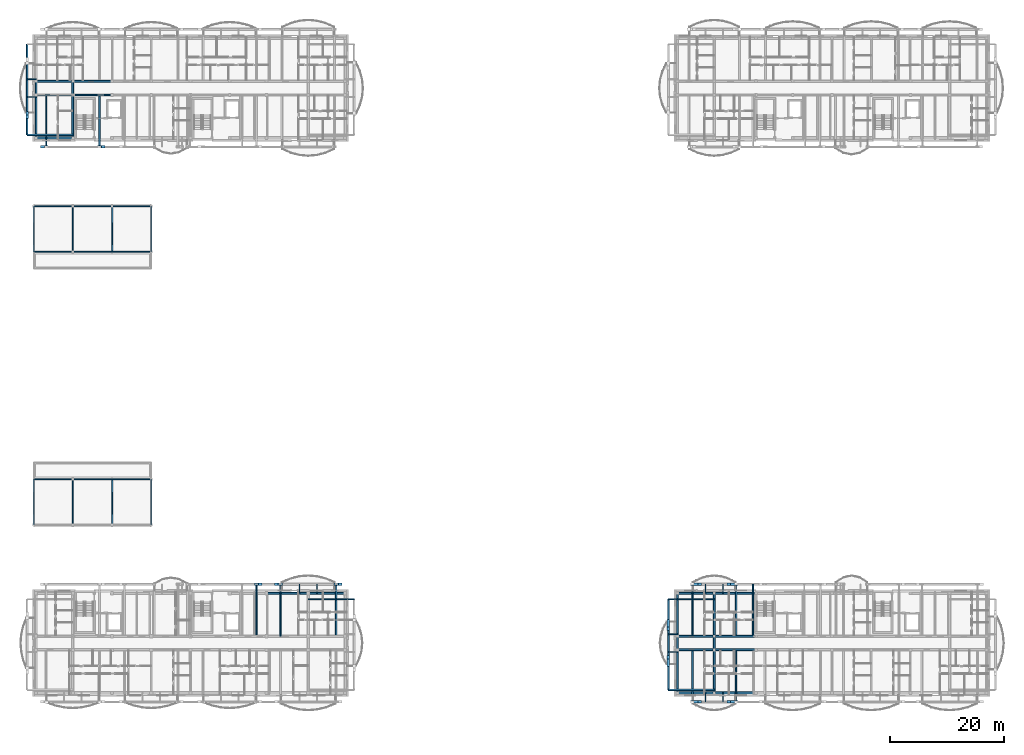
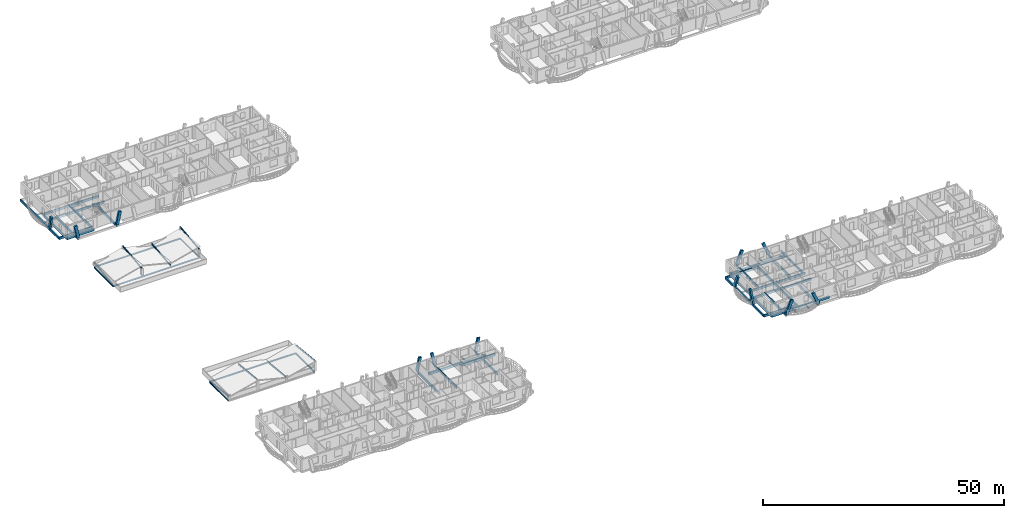
# One storey, part 5 of 50: 64 beams, 20 members.
"""IFC4 building model written with IfcOpenShell, lengths in metres."""

from ifc_helpers import new_model, si_unit, direction, frame, origin, origin_2d, place, context, subcontext, project, spatial, rectangle, i_section, extrude, material, material_profile, profile_set, type_object, element, save


model = new_model("IFC4")

# Units and contexts
model_context = context("Model", 3, precision=1e-05, world=origin(), true_north=direction((0.0, 1.0)))
body_context = subcontext(model_context, "Body", "Model", "MODEL_VIEW")
ifc_project = project(units=[si_unit("LENGTHUNIT", "METRE"), si_unit("AREAUNIT", "SQUARE_METRE"), si_unit("VOLUMEUNIT", "CUBIC_METRE"), si_unit("PLANEANGLEUNIT", "RADIAN"), si_unit("MASSUNIT", "GRAM", prefix="KILO")], contexts=[model_context])

# Site, building, storey
site_placement = place(None, origin())
site = spatial("IfcSite", under=ifc_project, at=site_placement, CompositionType="ELEMENT")
building_placement = place(site_placement, origin())
building = spatial("IfcBuilding", under=site, at=building_placement, Name="Zavelmont Quarter", CompositionType="ELEMENT")
storey_placement = place(building_placement, frame((0.0, 0.0, 11.199951171875)))
storey = spatial("IfcBuildingStorey", under=building, at=storey_placement, Name="L03", CompositionType="ELEMENT", Elevation=11.199951171875)

# Beams
ifc_material_1 = material(Name="Concrete C35/45", Category="concrete")
ifc_material_profile_1 = material_profile(ifc_material_1, rectangle(XDim=0.35009765625, YDim=0.60009765625, at=origin_2d()), Name="RC350X600")
ifc_profile_set_1 = profile_set([ifc_material_profile_1], Name="Concrete C35/45")
beam_type_1 = type_object("IfcBeamType", Name="BM01", PredefinedType="SPANDREL", material=ifc_profile_set_1)
beam_1_placement = place(storey_placement, frame((40.9599609375, 17.9599609375, -0.56005859375), z_axis=(1.0, 0.0, 0.0), x_axis=(0.0, 1.0, 0.0)))
element("IfcBeam", 1, at=beam_1_placement, inside=storey, type_object=beam_type_1, Name="L03 beam BM01 7/D to 8/D", PredefinedType="SPANDREL", context=body_context, shape_type="SweptSolid", body=[
    extrude(rectangle(XDim=0.35009765625, YDim=0.60009765625, at=origin_2d()), origin(), (0.0, 0.0, 1.0), 7.340087890625),
])
for number, where, z_axis, x_axis, name in (
    (2, (48.300048828125, 17.9599609375, -0.56005859375), (1.0, 0.0, 0.0), (0.0, 1.0, 0.0), "L03 beam BM01 8/D to 9/D"),
    (3, (0.43994140625, 98.0400390625, -0.56005859375), (1.0, 0.0, 0.0), (0.0, 1.0, 0.0), "L03 beam BM01 1/P to 2/P"),
    (4, (113.239990234375, 0.43994140625, -0.56005859375), (1.0, 0.0, 0.0), (0.0, 1.0, 0.0), "L03 beam BM01 17/A to 18/A"),
):
    element("IfcBeam", number, at=place(storey_placement, frame(where, z_axis=z_axis, x_axis=x_axis)), inside=storey, type_object=beam_type_1, Name=name, PredefinedType="SPANDREL", context=body_context, shape_type="SweptSolid", body=[
        extrude(rectangle(XDim=0.35009765625, YDim=0.60009765625, at=origin_2d()), origin(), (0.0, 0.0, 1.0), 6.4599609375),
    ])
beam_2_placement = place(storey_placement, frame((119.699951171875, 0.43994140625, -0.56005859375), z_axis=(1.0, 0.0, 0.0), x_axis=(0.0, 1.0, 0.0)))
element("IfcBeam", 5, at=beam_2_placement, inside=storey, type_object=beam_type_1, Name="L03 beam BM01 18/A to 19/A", PredefinedType="SPANDREL", context=body_context, shape_type="SweptSolid", body=[
    extrude(rectangle(XDim=0.35009765625, YDim=0.60009765625, at=origin_2d()), origin(), (0.0, 0.0, 1.0), 7.340087890625),
])
beam_3_placement = place(storey_placement, frame((113.239990234375, 17.9599609375, -0.56005859375), z_axis=(1.0, 0.0, 0.0), x_axis=(0.0, 1.0, 0.0)))
element("IfcBeam", 6, at=beam_3_placement, inside=storey, type_object=beam_type_1, Name="L03 beam BM01 17/D to 18/D", PredefinedType="SPANDREL", context=body_context, shape_type="SweptSolid", body=[
    extrude(rectangle(XDim=0.35009765625, YDim=0.60009765625, at=origin_2d()), origin(), (0.0, 0.0, 1.0), 6.4599609375),
])
beam_4_placement = place(storey_placement, frame((119.699951171875, 17.9599609375, -0.56005859375), z_axis=(1.0, 0.0, 0.0), x_axis=(0.0, 1.0, 0.0)))
element("IfcBeam", 7, at=beam_4_placement, inside=storey, type_object=beam_type_1, Name="L03 beam BM01 18/D to 19/D", PredefinedType="SPANDREL", context=body_context, shape_type="SweptSolid", body=[
    extrude(rectangle(XDim=0.35009765625, YDim=0.60009765625, at=origin_2d()), origin(), (0.0, 0.0, 1.0), 7.340087890625),
])
ifc_material_profile_2 = material_profile(ifc_material_1, rectangle(XDim=0.300048828125, YDim=0.550048828125, at=origin_2d()), Name="RC300X550")
ifc_profile_set_2 = profile_set([ifc_material_profile_2], Name="Concrete C35/45")
beam_type_2 = type_object("IfcBeamType", Name="BM02", PredefinedType="SPANDREL", material=ifc_profile_set_2)
beam_5_placement = place(storey_placement, frame((0.43994140625, 105.60009765625, -0.534912109375), z_axis=(1.0, 0.0, 0.0), x_axis=(0.0, 1.0, 0.0)))
element("IfcBeam", 8, at=beam_5_placement, inside=storey, type_object=beam_type_2, Name="L03 beam BM02 1/Q to 2/Q", PredefinedType="SPANDREL", context=body_context, shape_type="SweptSolid", body=[
    extrude(rectangle(XDim=0.300048828125, YDim=0.550048828125, at=origin_2d()), origin(), (0.0, 0.0, 1.0), 6.4599609375),
])
beam_6_placement = place(storey_placement, frame((6.89990234375, 105.60009765625, -0.534912109375), z_axis=(1.0, 0.0, 0.0), x_axis=(0.0, 1.0, 0.0)))
element("IfcBeam", 9, at=beam_6_placement, inside=storey, type_object=beam_type_2, Name="L03 beam BM02 2/Q to 3/Q", PredefinedType="SPANDREL", context=body_context, shape_type="SweptSolid", body=[
    extrude(rectangle(XDim=0.300048828125, YDim=0.550048828125, at=origin_2d()), origin(), (0.0, 0.0, 1.0), 6.900146484375),
])
beam_7_placement = place(storey_placement, frame((0.43994140625, 108.0, -0.534912109375), z_axis=(1.0, 0.0, 0.0), x_axis=(0.0, 1.0, 0.0)))
element("IfcBeam", 10, at=beam_7_placement, inside=storey, type_object=beam_type_2, Name="L03 beam BM02 1/R to 2/R", PredefinedType="SPANDREL", context=body_context, shape_type="SweptSolid", body=[
    extrude(rectangle(XDim=0.300048828125, YDim=0.550048828125, at=origin_2d()), origin(), (0.0, 0.0, 1.0), 6.4599609375),
])
beam_8_placement = place(storey_placement, frame((6.89990234375, 108.0, -0.534912109375), z_axis=(1.0, 0.0, 0.0), x_axis=(0.0, 1.0, 0.0)))
element("IfcBeam", 11, at=beam_8_placement, inside=storey, type_object=beam_type_2, Name="L03 beam BM02 2/R to 3/R", PredefinedType="SPANDREL", context=body_context, shape_type="SweptSolid", body=[
    extrude(rectangle(XDim=0.300048828125, YDim=0.550048828125, at=origin_2d()), origin(), (0.0, 0.0, 1.0), 6.900146484375),
])
beam_9_placement = place(storey_placement, frame((0.43994140625, 98.0400390625, -0.534912109375), z_axis=(0.0, 1.0, 0.0), x_axis=(-1.0, 0.0, 0.0)))
element("IfcBeam", 12, at=beam_9_placement, inside=storey, type_object=beam_type_2, Name="L03 beam BM02 1/P to 1/Q", PredefinedType="SPANDREL", context=body_context, shape_type="SweptSolid", body=[
    extrude(rectangle(XDim=0.300048828125, YDim=0.550048828125, at=origin_2d()), origin(), (0.0, 0.0, 1.0), 7.56005859375),
])
beam_10_placement = place(storey_placement, frame((0.43994140625, 105.60009765625, -0.534912109375), z_axis=(0.0, 1.0, 0.0), x_axis=(-1.0, 0.0, 0.0)))
element("IfcBeam", 13, at=beam_10_placement, inside=storey, type_object=beam_type_2, Name="L03 beam BM02 1/Q to 1/R", PredefinedType="SPANDREL", context=body_context, shape_type="SweptSolid", body=[
    extrude(rectangle(XDim=0.300048828125, YDim=0.550048828125, at=origin_2d()), origin(), (0.0, 0.0, 1.0), 2.39990234375),
])
beam_11_placement = place(storey_placement, frame((6.89990234375, 98.0400390625, -0.534912109375), z_axis=(0.0, 1.0, 0.0), x_axis=(-1.0, 0.0, 0.0)))
element("IfcBeam", 14, at=beam_11_placement, inside=storey, type_object=beam_type_2, Name="L03 beam BM02 2/P to 2/Q", PredefinedType="SPANDREL", context=body_context, shape_type="SweptSolid", body=[
    extrude(rectangle(XDim=0.300048828125, YDim=0.550048828125, at=origin_2d()), origin(), (0.0, 0.0, 1.0), 7.56005859375),
])
beam_12_placement = place(storey_placement, frame((6.89990234375, 105.60009765625, -0.534912109375), z_axis=(0.0, 1.0, 0.0), x_axis=(-1.0, 0.0, 0.0)))
element("IfcBeam", 15, at=beam_12_placement, inside=storey, type_object=beam_type_2, Name="L03 beam BM02 2/Q to 2/R", PredefinedType="SPANDREL", context=body_context, shape_type="SweptSolid", body=[
    extrude(rectangle(XDim=0.300048828125, YDim=0.550048828125, at=origin_2d()), origin(), (0.0, 0.0, 1.0), 2.39990234375),
])
beam_13_placement = place(storey_placement, frame((113.239990234375, 8.0, -0.534912109375), z_axis=(1.0, 0.0, 0.0), x_axis=(0.0, 1.0, 0.0)))
element("IfcBeam", 16, at=beam_13_placement, inside=storey, type_object=beam_type_2, Name="L03 beam BM02 17/B to 18/B", PredefinedType="SPANDREL", context=body_context, shape_type="SweptSolid", body=[
    extrude(rectangle(XDim=0.300048828125, YDim=0.550048828125, at=origin_2d()), origin(), (0.0, 0.0, 1.0), 6.4599609375),
])
beam_14_placement = place(storey_placement, frame((119.699951171875, 8.0, -0.534912109375), z_axis=(1.0, 0.0, 0.0), x_axis=(0.0, 1.0, 0.0)))
element("IfcBeam", 17, at=beam_14_placement, inside=storey, type_object=beam_type_2, Name="L03 beam BM02 18/B to 19/B", PredefinedType="SPANDREL", context=body_context, shape_type="SweptSolid", body=[
    extrude(rectangle(XDim=0.300048828125, YDim=0.550048828125, at=origin_2d()), origin(), (0.0, 0.0, 1.0), 7.340087890625),
])
beam_15_placement = place(storey_placement, frame((113.239990234375, 10.39990234375, -0.534912109375), z_axis=(1.0, 0.0, 0.0), x_axis=(0.0, 1.0, 0.0)))
element("IfcBeam", 18, at=beam_15_placement, inside=storey, type_object=beam_type_2, Name="L03 beam BM02 17/C to 18/C", PredefinedType="SPANDREL", context=body_context, shape_type="SweptSolid", body=[
    extrude(rectangle(XDim=0.300048828125, YDim=0.550048828125, at=origin_2d()), origin(), (0.0, 0.0, 1.0), 6.4599609375),
])
beam_16_placement = place(storey_placement, frame((119.699951171875, 10.39990234375, -0.534912109375), z_axis=(1.0, 0.0, 0.0), x_axis=(0.0, 1.0, 0.0)))
element("IfcBeam", 19, at=beam_16_placement, inside=storey, type_object=beam_type_2, Name="L03 beam BM02 18/C to 19/C", PredefinedType="SPANDREL", context=body_context, shape_type="SweptSolid", body=[
    extrude(rectangle(XDim=0.300048828125, YDim=0.550048828125, at=origin_2d()), origin(), (0.0, 0.0, 1.0), 7.340087890625),
])
beam_17_placement = place(storey_placement, frame((113.239990234375, 0.43994140625, -0.534912109375), z_axis=(0.0, 1.0, 0.0), x_axis=(-1.0, 0.0, 0.0)))
element("IfcBeam", 20, at=beam_17_placement, inside=storey, type_object=beam_type_2, Name="L03 beam BM02 17/A to 17/B", PredefinedType="SPANDREL", context=body_context, shape_type="SweptSolid", body=[
    extrude(rectangle(XDim=0.300048828125, YDim=0.550048828125, at=origin_2d()), origin(), (0.0, 0.0, 1.0), 7.56005859375),
])
beam_18_placement = place(storey_placement, frame((113.239990234375, 8.0, -0.534912109375), z_axis=(0.0, 1.0, 0.0), x_axis=(-1.0, 0.0, 0.0)))
element("IfcBeam", 21, at=beam_18_placement, inside=storey, type_object=beam_type_2, Name="L03 beam BM02 17/B to 17/C", PredefinedType="SPANDREL", context=body_context, shape_type="SweptSolid", body=[
    extrude(rectangle(XDim=0.300048828125, YDim=0.550048828125, at=origin_2d()), origin(), (0.0, 0.0, 1.0), 2.39990234375),
])
for number, where, z_axis, x_axis, name in (
    (22, (113.239990234375, 10.39990234375, -0.534912109375), (0.0, 1.0, 0.0), (-1.0, 0.0, 0.0), "L03 beam BM02 17/C to 17/D"),
    (23, (119.699951171875, 0.43994140625, -0.534912109375), (0.0, 1.0, 0.0), (-1.0, 0.0, 0.0), "L03 beam BM02 18/A to 18/B"),
):
    element("IfcBeam", number, at=place(storey_placement, frame(where, z_axis=z_axis, x_axis=x_axis)), inside=storey, type_object=beam_type_2, Name=name, PredefinedType="SPANDREL", context=body_context, shape_type="SweptSolid", body=[
        extrude(rectangle(XDim=0.300048828125, YDim=0.550048828125, at=origin_2d()), origin(), (0.0, 0.0, 1.0), 7.56005859375),
    ])
beam_19_placement = place(storey_placement, frame((119.699951171875, 8.0, -0.534912109375), z_axis=(0.0, 1.0, 0.0), x_axis=(-1.0, 0.0, 0.0)))
element("IfcBeam", 24, at=beam_19_placement, inside=storey, type_object=beam_type_2, Name="L03 beam BM02 18/B to 18/C", PredefinedType="SPANDREL", context=body_context, shape_type="SweptSolid", body=[
    extrude(rectangle(XDim=0.300048828125, YDim=0.550048828125, at=origin_2d()), origin(), (0.0, 0.0, 1.0), 2.39990234375),
])
beam_20_placement = place(storey_placement, frame((119.699951171875, 10.39990234375, -0.534912109375), z_axis=(0.0, 1.0, 0.0), x_axis=(-1.0, 0.0, 0.0)))
element("IfcBeam", 25, at=beam_20_placement, inside=storey, type_object=beam_type_2, Name="L03 beam BM02 18/C to 18/D", PredefinedType="SPANDREL", context=body_context, shape_type="SweptSolid", body=[
    extrude(rectangle(XDim=0.300048828125, YDim=0.550048828125, at=origin_2d()), origin(), (0.0, 0.0, 1.0), 7.56005859375),
])
ifc_material_profile_3 = material_profile(ifc_material_1, rectangle(XDim=0.300048828125, YDim=0.5, at=origin_2d()), Name="RC300X500")
ifc_profile_set_3 = profile_set([ifc_material_profile_3], Name="Concrete C35/45")
beam_type_3 = type_object("IfcBeamType", Name="BM03", PredefinedType="BEAM", material=ifc_profile_set_3)
for number, where, z_axis, x_axis, name in (
    (26, (-1.14990234375, 98.550048828125, -0.25), (0.0, 1.0, 0.0), (-1.0, 0.0, 0.0), "L03 beam BM03 1/P to 1/S"),
    (27, (111.64990234375, 0.949951171875, -0.25), (0.0, 1.0, 0.0), (-1.0, 0.0, 0.0), "L03 beam BM03 17/A to 17/D"),
):
    element("IfcBeam", number, at=place(storey_placement, frame(where, z_axis=z_axis, x_axis=x_axis)), inside=storey, type_object=beam_type_3, Name=name, PredefinedType="BEAM", context=body_context, shape_type="SweptSolid", body=[
        extrude(rectangle(XDim=0.300048828125, YDim=0.5, at=origin_2d()), origin(), (0.0, 0.0, 1.0), 15.949951171875),
    ])
ifc_material_2 = material(Name="Steel S355", Category="steel")
ifc_material_profile_4 = material_profile(ifc_material_2, i_section(OverallWidth=0.169921875, OverallDepth=0.360107421875, WebThickness=0.008056640625, FlangeThickness=0.0126953125, at=origin_2d()), Name="IPE 360")
ifc_profile_set_4 = profile_set([ifc_material_profile_4], Name="Steel S355")
beam_type_4 = type_object("IfcBeamType", Name="BM13", PredefinedType="BEAM", material=ifc_profile_set_4)
beam_21_placement = place(storey_placement, frame((0.0, 38.0, -0.389892578125), z_axis=(1.0, 0.0, 0.0), x_axis=(0.0, 1.0, 0.0)))
element("IfcBeam", 28, at=beam_21_placement, inside=storey, type_object=beam_type_4, Name="L03 beam BM13 1/G to 2/G", PredefinedType="BEAM", context=body_context, shape_type="SweptSolid", body=[
    extrude(i_section(OverallWidth=0.169921875, OverallDepth=0.360107421875, WebThickness=0.008056640625, FlangeThickness=0.0126953125, at=origin_2d()), origin(), (0.0, 0.0, 1.0), 6.89990234375),
])
beam_22_placement = place(storey_placement, frame((6.89990234375, 38.0, -0.389892578125), z_axis=(1.0, 0.0, 0.0), x_axis=(0.0, 1.0, 0.0)))
element("IfcBeam", 29, at=beam_22_placement, inside=storey, type_object=beam_type_4, Name="L03 beam BM13 2/G to 3/G", PredefinedType="BEAM", context=body_context, shape_type="SweptSolid", body=[
    extrude(i_section(OverallWidth=0.169921875, OverallDepth=0.360107421875, WebThickness=0.008056640625, FlangeThickness=0.0126953125, at=origin_2d()), origin(), (0.0, 0.0, 1.0), 6.900146484375),
])
beam_23_placement = place(storey_placement, frame((13.800048828125, 38.0, -0.389892578125), z_axis=(1.0, 0.0, 0.0), x_axis=(0.0, 1.0, 0.0)))
element("IfcBeam", 30, at=beam_23_placement, inside=storey, type_object=beam_type_4, Name="L03 beam BM13 3/G to 4/G", PredefinedType="BEAM", context=body_context, shape_type="SweptSolid", body=[
    extrude(i_section(OverallWidth=0.169921875, OverallDepth=0.360107421875, WebThickness=0.008056640625, FlangeThickness=0.0126953125, at=origin_2d()), origin(), (0.0, 0.0, 1.0), 6.89990234375),
])
for number, where, z_axis, x_axis, name in (
    (31, (0.0, 30.0, -0.389892578125), (0.0, 1.0, 0.0), (-1.0, 0.0, 0.0), "L03 beam BM13 1/F to 1/G"),
    (32, (20.699951171875, 30.0, -0.389892578125), (0.0, 1.0, 0.0), (-1.0, 0.0, 0.0), "L03 beam BM13 4/F to 4/G"),
):
    element("IfcBeam", number, at=place(storey_placement, frame(where, z_axis=z_axis, x_axis=x_axis)), inside=storey, type_object=beam_type_4, Name=name, PredefinedType="BEAM", context=body_context, shape_type="SweptSolid", body=[
        extrude(i_section(OverallWidth=0.169921875, OverallDepth=0.360107421875, WebThickness=0.008056640625, FlangeThickness=0.0126953125, at=origin_2d()), origin(), (0.0, 0.0, 1.0), 8.0),
    ])
beam_24_placement = place(storey_placement, frame((0.0, 78.0, -0.389892578125), z_axis=(1.0, 0.0, 0.0), x_axis=(0.0, 1.0, 0.0)))
element("IfcBeam", 33, at=beam_24_placement, inside=storey, type_object=beam_type_4, Name="L03 beam BM13 1/M to 2/M", PredefinedType="BEAM", context=body_context, shape_type="SweptSolid", body=[
    extrude(i_section(OverallWidth=0.169921875, OverallDepth=0.360107421875, WebThickness=0.008056640625, FlangeThickness=0.0126953125, at=origin_2d()), origin(), (0.0, 0.0, 1.0), 6.89990234375),
])
beam_25_placement = place(storey_placement, frame((6.89990234375, 78.0, -0.389892578125), z_axis=(1.0, 0.0, 0.0), x_axis=(0.0, 1.0, 0.0)))
element("IfcBeam", 34, at=beam_25_placement, inside=storey, type_object=beam_type_4, Name="L03 beam BM13 2/M to 3/M", PredefinedType="BEAM", context=body_context, shape_type="SweptSolid", body=[
    extrude(i_section(OverallWidth=0.169921875, OverallDepth=0.360107421875, WebThickness=0.008056640625, FlangeThickness=0.0126953125, at=origin_2d()), origin(), (0.0, 0.0, 1.0), 6.900146484375),
])
for number, where, z_axis, x_axis, name in (
    (35, (13.800048828125, 78.0, -0.389892578125), (1.0, 0.0, 0.0), (0.0, 1.0, 0.0), "L03 beam BM13 3/M to 4/M"),
    (36, (0.0, 86.0, -0.389892578125), (1.0, 0.0, 0.0), (0.0, 1.0, 0.0), "L03 beam BM13 1/N to 2/N"),
):
    element("IfcBeam", number, at=place(storey_placement, frame(where, z_axis=z_axis, x_axis=x_axis)), inside=storey, type_object=beam_type_4, Name=name, PredefinedType="BEAM", context=body_context, shape_type="SweptSolid", body=[
        extrude(i_section(OverallWidth=0.169921875, OverallDepth=0.360107421875, WebThickness=0.008056640625, FlangeThickness=0.0126953125, at=origin_2d()), origin(), (0.0, 0.0, 1.0), 6.89990234375),
    ])
beam_26_placement = place(storey_placement, frame((6.89990234375, 86.0, -0.389892578125), z_axis=(1.0, 0.0, 0.0), x_axis=(0.0, 1.0, 0.0)))
element("IfcBeam", 37, at=beam_26_placement, inside=storey, type_object=beam_type_4, Name="L03 beam BM13 2/N to 3/N", PredefinedType="BEAM", context=body_context, shape_type="SweptSolid", body=[
    extrude(i_section(OverallWidth=0.169921875, OverallDepth=0.360107421875, WebThickness=0.008056640625, FlangeThickness=0.0126953125, at=origin_2d()), origin(), (0.0, 0.0, 1.0), 6.900146484375),
])
beam_27_placement = place(storey_placement, frame((13.800048828125, 86.0, -0.389892578125), z_axis=(1.0, 0.0, 0.0), x_axis=(0.0, 1.0, 0.0)))
element("IfcBeam", 38, at=beam_27_placement, inside=storey, type_object=beam_type_4, Name="L03 beam BM13 3/N to 4/N", PredefinedType="BEAM", context=body_context, shape_type="SweptSolid", body=[
    extrude(i_section(OverallWidth=0.169921875, OverallDepth=0.360107421875, WebThickness=0.008056640625, FlangeThickness=0.0126953125, at=origin_2d()), origin(), (0.0, 0.0, 1.0), 6.89990234375),
])
for number, where, z_axis, x_axis, name in (
    (39, (0.0, 78.0, -0.389892578125), (0.0, 1.0, 0.0), (-1.0, 0.0, 0.0), "L03 beam BM13 1/M to 1/N"),
    (40, (20.699951171875, 78.0, -0.389892578125), (0.0, 1.0, 0.0), (-1.0, 0.0, 0.0), "L03 beam BM13 4/M to 4/N"),
):
    element("IfcBeam", number, at=place(storey_placement, frame(where, z_axis=z_axis, x_axis=x_axis)), inside=storey, type_object=beam_type_4, Name=name, PredefinedType="BEAM", context=body_context, shape_type="SweptSolid", body=[
        extrude(i_section(OverallWidth=0.169921875, OverallDepth=0.360107421875, WebThickness=0.008056640625, FlangeThickness=0.0126953125, at=origin_2d()), origin(), (0.0, 0.0, 1.0), 8.0),
    ])
ifc_material_profile_5 = material_profile(ifc_material_2, i_section(OverallWidth=0.110107421875, OverallDepth=0.219970703125, WebThickness=0.005859375, FlangeThickness=0.00927734375, at=origin_2d()), Name="IPE 220")
ifc_profile_set_5 = profile_set([ifc_material_profile_5], Name="Steel S355")
beam_type_5 = type_object("IfcBeamType", Name="BM15", PredefinedType="JOIST", material=ifc_profile_set_5)
for number, where, z_axis, x_axis, name in (
    (41, (46.75, 17.9599609375, -0.3720703125), (0.0, 1.0, 0.0), (-1.0, 0.0, 0.0), "L03 beam BM15 8/D to 8/D"),
    (42, (49.85009765625, 17.9599609375, -0.3720703125), (0.0, 1.0, 0.0), (-1.0, 0.0, 0.0), "L03 beam BM15 8/D to 8/D"),
):
    element("IfcBeam", number, at=place(storey_placement, frame(where, z_axis=z_axis, x_axis=x_axis)), inside=storey, type_object=beam_type_5, Name=name, PredefinedType="JOIST", context=body_context, shape_type="SweptSolid", body=[
        extrude(i_section(OverallWidth=0.110107421875, OverallDepth=0.219970703125, WebThickness=0.005859375, FlangeThickness=0.00927734375, at=origin_2d()), origin(), (0.0, 0.0, 1.0), 1.590087890625),
    ])
for number, where, z_axis, x_axis, name in (
    (43, (0.43994140625, 105.25, -0.3720703125), (-1.0, 0.0, 0.0), (0.0, -1.0, 0.0), "L03 beam BM15 1/Q to 1/Q"),
    (44, (0.43994140625, 108.35009765625, -0.3720703125), (-1.0, 0.0, 0.0), (0.0, -1.0, 0.0), "L03 beam BM15 1/R to 1/R"),
    (45, (118.14990234375, 0.43994140625, -0.3720703125), (0.0, -1.0, 0.0), (1.0, 0.0, 0.0), "L03 beam BM15 18/A to 18/A"),
    (46, (121.25, 0.43994140625, -0.3720703125), (0.0, -1.0, 0.0), (1.0, 0.0, 0.0), "L03 beam BM15 18/A to 18/A"),
):
    element("IfcBeam", number, at=place(storey_placement, frame(where, z_axis=z_axis, x_axis=x_axis)), inside=storey, type_object=beam_type_5, Name=name, PredefinedType="JOIST", context=body_context, shape_type="SweptSolid", body=[
        extrude(i_section(OverallWidth=0.110107421875, OverallDepth=0.219970703125, WebThickness=0.005859375, FlangeThickness=0.00927734375, at=origin_2d()), origin(), (0.0, 0.0, 1.0), 1.58984375),
    ])
for number, where, z_axis, x_axis, name in (
    (47, (113.239990234375, 7.64990234375, -0.3720703125), (-1.0, 0.0, 0.0), (0.0, -1.0, 0.0), "L03 beam BM15 17/B to 17/B"),
    (48, (113.239990234375, 10.75, -0.3720703125), (-1.0, 0.0, 0.0), (0.0, -1.0, 0.0), "L03 beam BM15 17/C to 17/C"),
    (49, (118.14990234375, 17.9599609375, -0.3720703125), (0.0, 1.0, 0.0), (-1.0, 0.0, 0.0), "L03 beam BM15 18/D to 18/D"),
    (50, (121.25, 17.9599609375, -0.3720703125), (0.0, 1.0, 0.0), (-1.0, 0.0, 0.0), "L03 beam BM15 18/D to 18/D"),
):
    element("IfcBeam", number, at=place(storey_placement, frame(where, z_axis=z_axis, x_axis=x_axis)), inside=storey, type_object=beam_type_5, Name=name, PredefinedType="JOIST", context=body_context, shape_type="SweptSolid", body=[
        extrude(i_section(OverallWidth=0.110107421875, OverallDepth=0.219970703125, WebThickness=0.005859375, FlangeThickness=0.00927734375, at=origin_2d()), origin(), (0.0, 0.0, 1.0), 1.590087890625),
    ])
ifc_material_3 = material(Name="Concrete C40/50", Category="concrete")
ifc_material_profile_6 = material_profile(ifc_material_3, rectangle(XDim=0.25, YDim=0.60009765625, at=origin_2d()), Name="RC250X600")
ifc_profile_set_6 = profile_set([ifc_material_profile_6], Name="Concrete C40/50")
beam_type_6 = type_object("IfcBeamType", Name="BM18", PredefinedType="BEAM", material=ifc_profile_set_6)
for number, where, z_axis, x_axis, name in (
    (51, (39.197021484375, 10.39990234375, -0.300048828125), (0.0, 1.0, 0.0), (-1.0, 0.0, 0.0), "L03 beam BM18 7/C to 7/D"),
    (52, (43.40771484375, 10.39990234375, -0.300048828125), (0.0, 1.0, 0.0), (-1.0, 0.0, 0.0), "L03 beam BM18 7/C to 7/D"),
    (53, (53.1923828125, 10.39990234375, -0.300048828125), (0.0, 1.0, 0.0), (-1.0, 0.0, 0.0), "L03 beam BM18 9/C to 9/D"),
):
    element("IfcBeam", number, at=place(storey_placement, frame(where, z_axis=z_axis, x_axis=x_axis)), inside=storey, type_object=beam_type_6, Name=name, PredefinedType="BEAM", context=body_context, shape_type="SweptSolid", body=[
        extrude(rectangle(XDim=0.25, YDim=0.60009765625, at=origin_2d()), origin(), (0.0, 0.0, 1.0), 9.150146484375),
    ])
beam_28_placement = place(storey_placement, frame((48.300048828125, 16.89990234375, -0.300048828125), z_axis=(1.0, 0.0, 0.0), x_axis=(0.0, 1.0, 0.0)))
element("IfcBeam", 54, at=beam_28_placement, inside=storey, type_object=beam_type_6, Name="L03 beam BM18 8/D to 9/D", PredefinedType="BEAM", context=body_context, shape_type="SweptSolid", body=[
    extrude(rectangle(XDim=0.25, YDim=0.60009765625, at=origin_2d()), origin(), (0.0, 0.0, 1.0), 8.050048828125),
])
for number, where, z_axis, x_axis, name in (
    (55, (2.227294921875, 105.60009765625, -0.300048828125), (0.0, -1.0, 0.0), (1.0, 0.0, 0.0), "L03 beam BM18 1/Q to 1/P"),
    (56, (11.57275390625, 105.60009765625, -0.300048828125), (0.0, -1.0, 0.0), (1.0, 0.0, 0.0), "L03 beam BM18 3/Q to 3/P"),
):
    element("IfcBeam", number, at=place(storey_placement, frame(where, z_axis=z_axis, x_axis=x_axis)), inside=storey, type_object=beam_type_6, Name=name, PredefinedType="BEAM", context=body_context, shape_type="SweptSolid", body=[
        extrude(rectangle(XDim=0.25, YDim=0.60009765625, at=origin_2d()), origin(), (0.0, 0.0, 1.0), 9.150146484375),
    ])
beam_29_placement = place(storey_placement, frame((6.89990234375, 98.550048828125, -0.300048828125), z_axis=(-1.0, 0.0, 0.0), x_axis=(0.0, -1.0, 0.0)))
element("IfcBeam", 57, at=beam_29_placement, inside=storey, type_object=beam_type_6, Name="L03 beam BM18 2/P to 1/P", PredefinedType="BEAM", context=body_context, shape_type="SweptSolid", body=[
    extrude(rectangle(XDim=0.25, YDim=0.60009765625, at=origin_2d()), origin(), (0.0, 0.0, 1.0), 8.0498046875),
])
for number, where, z_axis, x_axis, name in (
    (58, (115.863525390625, 8.0, -0.300048828125), (0.0, -1.0, 0.0), (1.0, 0.0, 0.0), "L03 beam BM18 17/B to 17/A"),
    (59, (123.536376953125, 8.0, -0.300048828125), (0.0, -1.0, 0.0), (1.0, 0.0, 0.0), "L03 beam BM18 19/B to 19/A"),
):
    element("IfcBeam", number, at=place(storey_placement, frame(where, z_axis=z_axis, x_axis=x_axis)), inside=storey, type_object=beam_type_6, Name=name, PredefinedType="BEAM", context=body_context, shape_type="SweptSolid", body=[
        extrude(rectangle(XDim=0.25, YDim=0.60009765625, at=origin_2d()), origin(), (0.0, 0.0, 1.0), 9.14990234375),
    ])
for number, where, z_axis, x_axis, name in (
    (60, (115.863525390625, 10.39990234375, -0.300048828125), (0.0, 1.0, 0.0), (-1.0, 0.0, 0.0), "L03 beam BM18 17/C to 17/D"),
    (61, (123.536376953125, 10.39990234375, -0.300048828125), (0.0, 1.0, 0.0), (-1.0, 0.0, 0.0), "L03 beam BM18 19/C to 19/D"),
    (62, (126.5, 10.39990234375, -0.300048828125), (0.0, 1.0, 0.0), (-1.0, 0.0, 0.0), "L03 beam BM18 19/C to 19/D"),
):
    element("IfcBeam", number, at=place(storey_placement, frame(where, z_axis=z_axis, x_axis=x_axis)), inside=storey, type_object=beam_type_6, Name=name, PredefinedType="BEAM", context=body_context, shape_type="SweptSolid", body=[
        extrude(rectangle(XDim=0.25, YDim=0.60009765625, at=origin_2d()), origin(), (0.0, 0.0, 1.0), 9.150146484375),
    ])
for number, where, z_axis, x_axis, name in (
    (63, (119.699951171875, 0.949951171875, -0.300048828125), (-1.0, 0.0, 0.0), (0.0, -1.0, 0.0), "L03 beam BM18 18/A to 17/A"),
    (64, (119.699951171875, 16.89990234375, -0.300048828125), (-1.0, 0.0, 0.0), (0.0, -1.0, 0.0), "L03 beam BM18 18/D to 17/D"),
):
    element("IfcBeam", number, at=place(storey_placement, frame(where, z_axis=z_axis, x_axis=x_axis)), inside=storey, type_object=beam_type_6, Name=name, PredefinedType="BEAM", context=body_context, shape_type="SweptSolid", body=[
        extrude(rectangle(XDim=0.25, YDim=0.60009765625, at=origin_2d()), origin(), (0.0, 0.0, 1.0), 8.050048828125),
    ])

# Members
ifc_material_profile_7 = material_profile(ifc_material_2, i_section(OverallWidth=0.169921875, OverallDepth=0.360107421875, WebThickness=0.008056640625, FlangeThickness=0.0126953125, at=origin_2d()), Name="IPE 360")
ifc_profile_set_7 = profile_set([ifc_material_profile_7], Name="Steel S355")
member_type_1 = type_object("IfcMemberType", Name="RFM2", PredefinedType="RAFTER", material=ifc_profile_set_7)
for number, where, z_axis, x_axis, name in (
    (65, (0.0, 30.0, 0.81005859375), (0.0, 0.994071691754, -0.108726591286), (-1.0, 0.0, 0.0), "L03 member RFM2 1/F to 1/G"),
    (66, (0.0, 78.0, -0.06494140625), (0.0, 0.994071691754, 0.108726591286), (-1.0, 0.0, 0.0), "L03 member RFM2 1/M to 1/N"),
    (67, (6.89990234375, 30.0, 2.56005859375), (0.0, 0.994071691754, -0.108726591286), (-1.0, 0.0, 0.0), "L03 member RFM2 2/F to 2/G"),
    (68, (6.89990234375, 78.0, 1.68505859375), (0.0, 0.994071691754, 0.108726591286), (-1.0, 0.0, 0.0), "L03 member RFM2 2/M to 2/N"),
    (69, (13.800048828125, 30.0, 0.81005859375), (0.0, 0.994071691754, -0.108726591286), (-1.0, 0.0, 0.0), "L03 member RFM2 3/F to 3/G"),
    (70, (13.800048828125, 78.0, -0.06494140625), (0.0, 0.994071691754, 0.108726591286), (-1.0, 0.0, 0.0), "L03 member RFM2 3/M to 3/N"),
    (71, (20.699951171875, 30.0, 2.56005859375), (0.0, 0.994071691754, -0.108726591286), (-1.0, 0.0, 0.0), "L03 member RFM2 4/F to 4/G"),
    (72, (20.699951171875, 78.0, 1.68505859375), (0.0, 0.994071691754, 0.108726591286), (-1.0, 0.0, 0.0), "L03 member RFM2 4/M to 4/N"),
):
    element("IfcMember", number, at=place(storey_placement, frame(where, z_axis=z_axis, x_axis=x_axis)), inside=storey, type_object=member_type_1, Name=name, PredefinedType="RAFTER", context=body_context, shape_type="SweptSolid", body=[
        extrude(i_section(OverallWidth=0.169921875, OverallDepth=0.360107421875, WebThickness=0.008056640625, FlangeThickness=0.0126953125, at=origin_2d()), origin(), (0.0, 0.0, 1.0), 8.047607421875),
    ])
ifc_material_4 = material(Name="White architectural precast concrete C40/50", Category="concrete")
ifc_material_profile_8 = material_profile(ifc_material_4, rectangle(XDim=0.43994140625, YDim=0.659912109375, at=origin_2d()), Name="PCR320X480")
ifc_profile_set_8 = profile_set([ifc_material_profile_8], Name="White architectural precast concrete C40/50")
member_type_2 = type_object("IfcMemberType", Name="VR01M", PredefinedType="CHORD", material=ifc_profile_set_8)
member_1_placement = place(storey_placement, frame((39.197021484375, 19.550048828125, 0.0), z_axis=(0.204410538489, 0.0, 0.978885249534), x_axis=(0.0, 1.0, 0.0)))
element("IfcMember", 73, at=member_1_placement, inside=storey, type_object=member_type_2, Name="L03 member VR01M 7/D to 7/D", PredefinedType="CHORD", context=body_context, shape_type="SweptSolid", body=[
    extrude(rectangle(XDim=0.43994140625, YDim=0.659912109375, at=origin_2d()), origin(), (0.0, 0.0, 1.0), 3.26904296875),
])
for number, where, z_axis, x_axis, name in (
    (74, (43.40771484375, 19.550048828125, 0.0), (-0.218585566321, 0.0, 0.975817785345), (0.0, -1.0, 0.0), "L03 member VR01M 7/D to 7/D"),
    (75, (53.1923828125, 19.550048828125, 0.0), (0.218514671667, 0.0, 0.975833663216), (0.0, 1.0, 0.0), "L03 member VR01M 9/D to 9/D"),
):
    element("IfcMember", number, at=place(storey_placement, frame(where, z_axis=z_axis, x_axis=x_axis)), inside=storey, type_object=member_type_2, Name=name, PredefinedType="CHORD", context=body_context, shape_type="SweptSolid", body=[
        extrude(rectangle(XDim=0.43994140625, YDim=0.659912109375, at=origin_2d()), origin(), (0.0, 0.0, 1.0), 3.279296875),
    ])
member_2_placement = place(storey_placement, frame((2.227294921875, 96.449951171875, 0.0), z_axis=(-0.202620427255, 0.0, 0.979257352517), x_axis=(0.0, -1.0, 0.0)))
element("IfcMember", 76, at=member_2_placement, inside=storey, type_object=member_type_2, Name="L03 member VR01M 1/P to 1/P", PredefinedType="CHORD", context=body_context, shape_type="SweptSolid", body=[
    extrude(rectangle(XDim=0.43994140625, YDim=0.659912109375, at=origin_2d()), origin(), (0.0, 0.0, 1.0), 3.267822265625),
])
member_3_placement = place(storey_placement, frame((11.57275390625, 96.449951171875, 0.0), z_axis=(0.202548780407, 0.0, 0.979272174401), x_axis=(0.0, 1.0, 0.0)))
element("IfcMember", 77, at=member_3_placement, inside=storey, type_object=member_type_2, Name="L03 member VR01M 3/P to 3/P", PredefinedType="CHORD", context=body_context, shape_type="SweptSolid", body=[
    extrude(rectangle(XDim=0.43994140625, YDim=0.659912109375, at=origin_2d()), origin(), (0.0, 0.0, 1.0), 3.267578125),
])
member_4_placement = place(storey_placement, frame((-1.14990234375, 102.369384765625, 0.0), z_axis=(0.0, -0.18460996492, 0.982811864424), x_axis=(1.0, 0.0, 0.0)))
element("IfcMember", 78, at=member_4_placement, inside=storey, type_object=member_type_2, Name="L03 member VR01M 1/Q to 1/Q", PredefinedType="CHORD", context=body_context, shape_type="SweptSolid", body=[
    extrude(rectangle(XDim=0.43994140625, YDim=0.659912109375, at=origin_2d()), origin(), (0.0, 0.0, 1.0), 3.255859375),
])
member_5_placement = place(storey_placement, frame((115.863525390625, -1.14990234375, 0.0), z_axis=(0.379663240326, 0.0, 0.925124761286), x_axis=(0.0, 1.0, 0.0)))
element("IfcMember", 79, at=member_5_placement, inside=storey, type_object=member_type_2, Name="L03 member VR01M 17/A to 18/A", PredefinedType="CHORD", context=body_context, shape_type="SweptSolid", body=[
    extrude(rectangle(XDim=0.43994140625, YDim=0.659912109375, at=origin_2d()), origin(), (0.0, 0.0, 1.0), 3.458984375),
])
member_6_placement = place(storey_placement, frame((123.536376953125, -1.14990234375, 0.0), z_axis=(-0.379602829459, 0.0, 0.925149551082), x_axis=(0.0, -1.0, 0.0)))
element("IfcMember", 80, at=member_6_placement, inside=storey, type_object=member_type_2, Name="L03 member VR01M 19/A to 18/A", PredefinedType="CHORD", context=body_context, shape_type="SweptSolid", body=[
    extrude(rectangle(XDim=0.43994140625, YDim=0.659912109375, at=origin_2d()), origin(), (0.0, 0.0, 1.0), 3.458740234375),
])
member_7_placement = place(storey_placement, frame((115.863525390625, 19.550048828125, 0.0), z_axis=(0.379663240326, 0.0, 0.925124761286), x_axis=(0.0, 1.0, 0.0)))
element("IfcMember", 81, at=member_7_placement, inside=storey, type_object=member_type_2, Name="L03 member VR01M 17/D to 18/D", PredefinedType="CHORD", context=body_context, shape_type="SweptSolid", body=[
    extrude(rectangle(XDim=0.43994140625, YDim=0.659912109375, at=origin_2d()), origin(), (0.0, 0.0, 1.0), 3.458984375),
])
member_8_placement = place(storey_placement, frame((123.536376953125, 19.550048828125, 0.0), z_axis=(-0.379602829459, 0.0, 0.925149551082), x_axis=(0.0, -1.0, 0.0)))
element("IfcMember", 82, at=member_8_placement, inside=storey, type_object=member_type_2, Name="L03 member VR01M 19/D to 18/D", PredefinedType="CHORD", context=body_context, shape_type="SweptSolid", body=[
    extrude(rectangle(XDim=0.43994140625, YDim=0.659912109375, at=origin_2d()), origin(), (0.0, 0.0, 1.0), 3.458740234375),
])
member_9_placement = place(storey_placement, frame((111.64990234375, 5.363525390625, 0.0), z_axis=(0.0, 0.379663240326, 0.925124761286), x_axis=(-1.0, 0.0, 0.0)))
element("IfcMember", 83, at=member_9_placement, inside=storey, type_object=member_type_2, Name="L03 member VR01M 17/B to 17/B", PredefinedType="CHORD", context=body_context, shape_type="SweptSolid", body=[
    extrude(rectangle(XDim=0.43994140625, YDim=0.659912109375, at=origin_2d()), origin(), (0.0, 0.0, 1.0), 3.458984375),
])
member_10_placement = place(storey_placement, frame((111.64990234375, 13.036376953125, 0.0), z_axis=(0.0, -0.379602829459, 0.925149551082), x_axis=(1.0, 0.0, 0.0)))
element("IfcMember", 84, at=member_10_placement, inside=storey, type_object=member_type_2, Name="L03 member VR01M 17/C to 17/C", PredefinedType="CHORD", context=body_context, shape_type="SweptSolid", body=[
    extrude(rectangle(XDim=0.43994140625, YDim=0.659912109375, at=origin_2d()), origin(), (0.0, 0.0, 1.0), 3.458740234375),
])

save(model, "model.ifc")
